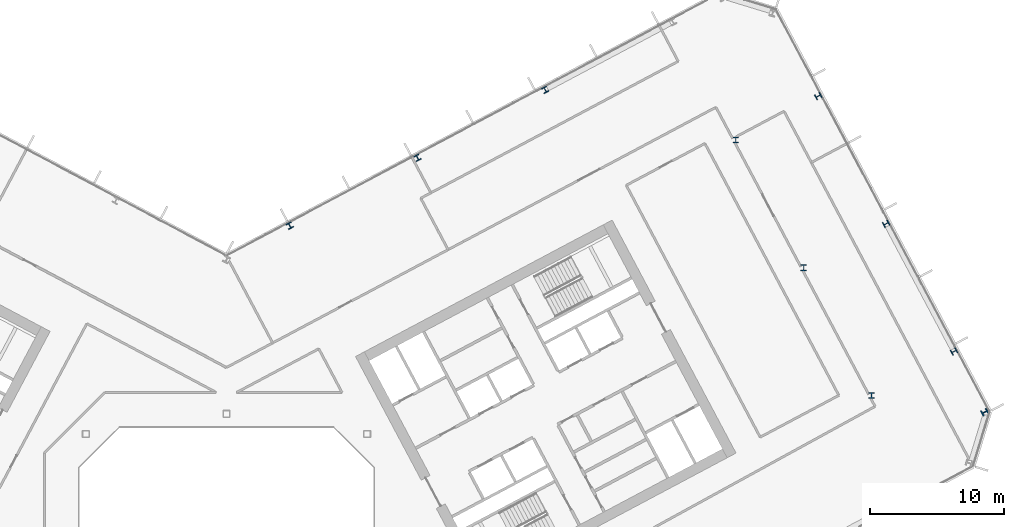
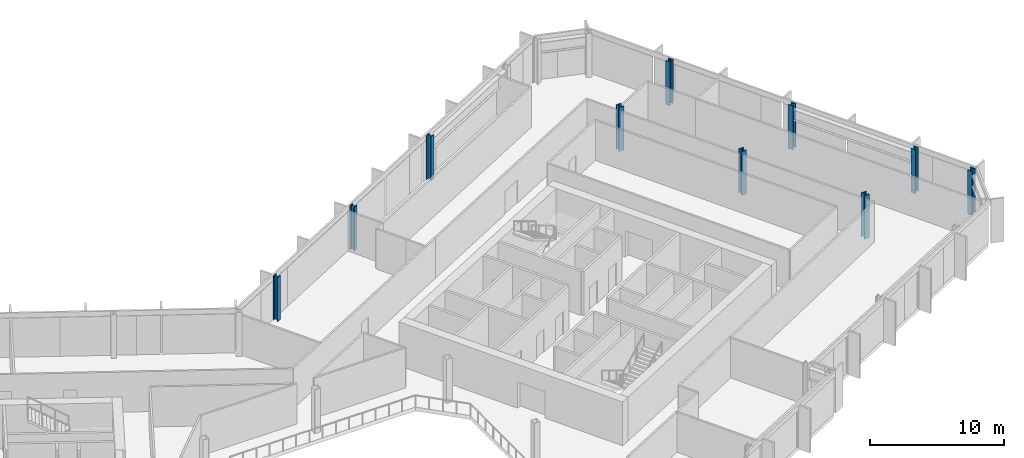
# One storey, part 7 of 28: 10 columns.
"""IFC4 building model written with IfcOpenShell, lengths in metres."""

from ifc_helpers import new_model, si_unit, direction, frame, origin, origin_2d, place, context, subcontext, project, spatial, i_section, extrude, material, material_profile, profile_set, type_object, element, save


model = new_model("IFC4")

# Units and contexts
model_context = context("Model", 3, precision=1e-05, world=origin(), true_north=direction((0.0, 1.0)))
body_context = subcontext(model_context, "Body", "Model", "MODEL_VIEW")
ifc_project = project(units=[si_unit("LENGTHUNIT", "METRE"), si_unit("AREAUNIT", "SQUARE_METRE"), si_unit("VOLUMEUNIT", "CUBIC_METRE"), si_unit("PLANEANGLEUNIT", "RADIAN"), si_unit("MASSUNIT", "GRAM", prefix="KILO")], contexts=[model_context])

# Site, building, storey
site_placement = place(None, origin())
site = spatial("IfcSite", under=ifc_project, at=site_placement, CompositionType="ELEMENT")
building_placement = place(site_placement, origin())
building = spatial("IfcBuilding", under=site, at=building_placement, Name="Cormorant Relay Tower", CompositionType="ELEMENT")
storey_placement = place(building_placement, frame((0.0, 0.0, 170.199951171875)))
storey = spatial("IfcBuildingStorey", under=building, at=storey_placement, Name="L36", CompositionType="ELEMENT", Elevation=170.199951171875)

# Columns
ifc_material_1 = material(Name="Steel ASTM A992 (Fy 345 MPa)", Category="steel")
ifc_material_profile_1 = material_profile(ifc_material_1, i_section(OverallWidth=0.41162109375, OverallDepth=0.434326171875, WebThickness=0.035888671875, FlangeThickness=0.057373046875, FilletRadius=0.01513671875, at=origin_2d()), Name="W360x463")
ifc_profile_set_1 = profile_set([ifc_material_profile_1], Name="Steel ASTM A992 (Fy 345 MPa)")
column_type_1 = type_object("IfcColumnType", Name="Column W360x463", PredefinedType="COLUMN", material=ifc_profile_set_1)
for number, where, z_axis, x_axis, name in (
    (1, (54.321044921875, 16.65087890625, 0.0), (0.0, 0.0, 1.0), (-0.469471562786, 0.882947592859, 0.0), "Column L36-029"),
    (2, (4.72509765625, 26.047119140625, 0.0), (0.0, 0.0, 1.0), (-0.882947592859, -0.469471562786, 0.0), "Column L36-034"),
    (3, (49.2509765625, 26.18701171875, 0.0), (0.0, 0.0, 1.0), (-0.469471562786, 0.882947592859, 0.0), "Column L36-035"),
    (4, (14.260986328125, 31.116943359375, 0.0), (0.0, 0.0, 1.0), (-0.882947592859, -0.469471562786, 0.0), "Column L36-038"),
    (5, (44.180908203125, 35.722900390625, 0.0), (0.0, 0.0, 1.0), (-0.469471562786, 0.882947592859, 0.0), "Column L36-042"),
    (6, (23.7958984375, 36.18798828125, 0.0), (0.0, 0.0, 1.0), (-0.882947592859, -0.469471562786, 0.0), "Column L36-043"),
):
    element("IfcColumn", number, at=place(storey_placement, frame(where, z_axis=z_axis, x_axis=x_axis)), inside=storey, type_object=column_type_1, Name=name, PredefinedType="COLUMN", context=body_context, shape_type="SweptSolid", body=[
        extrude(i_section(OverallWidth=0.41162109375, OverallDepth=0.434326171875, WebThickness=0.035888671875, FlangeThickness=0.057373046875, FilletRadius=0.01513671875, at=origin_2d()), origin(), (0.0, 0.0, 1.0), 4.0),
    ])
ifc_material_2 = material(Name="Steel ASTM A992 (Fy 345 MPa)", Category="steel")
ifc_material_profile_2 = material_profile(ifc_material_2, i_section(OverallWidth=0.42431640625, OverallDepth=0.47509765625, WebThickness=0.0478515625, FlangeThickness=0.0771484375, FilletRadius=0.014892578125, at=origin_2d()), Name="W360x634")
ifc_profile_set_2 = profile_set([ifc_material_profile_2], Name="Steel ASTM A992 (Fy 345 MPa)")
column_type_2 = type_object("IfcColumnType", Name="Column W360x634", PredefinedType="COLUMN", material=ifc_profile_set_2)
for number, where, z_axis, x_axis, name in (
    (7, (56.60791015625, 12.1298828125, 0.0), (0.0, 0.0, 1.0), (-0.469471562786, 0.882947592859, 0.0), "Column L36-026"),
    (8, (48.157958984375, 13.3740234375, 0.0), (0.0, 0.0, 1.0), (1.0, 0.0, 0.0), "Column L36-027"),
    (9, (43.087890625, 22.909912109375, 0.0), (0.0, 0.0, 1.0), (1.0, 0.0, 0.0), "Column L36-031"),
    (10, (38.01806640625, 32.446044921875, 0.0), (0.0, 0.0, 1.0), (1.0, 0.0, 0.0), "Column L36-039"),
):
    element("IfcColumn", number, at=place(storey_placement, frame(where, z_axis=z_axis, x_axis=x_axis)), inside=storey, type_object=column_type_2, Name=name, PredefinedType="COLUMN", context=body_context, shape_type="SweptSolid", body=[
        extrude(i_section(OverallWidth=0.42431640625, OverallDepth=0.47509765625, WebThickness=0.0478515625, FlangeThickness=0.0771484375, FilletRadius=0.014892578125, at=origin_2d()), origin(), (0.0, 0.0, 1.0), 4.0),
    ])

save(model, "model.ifc")
